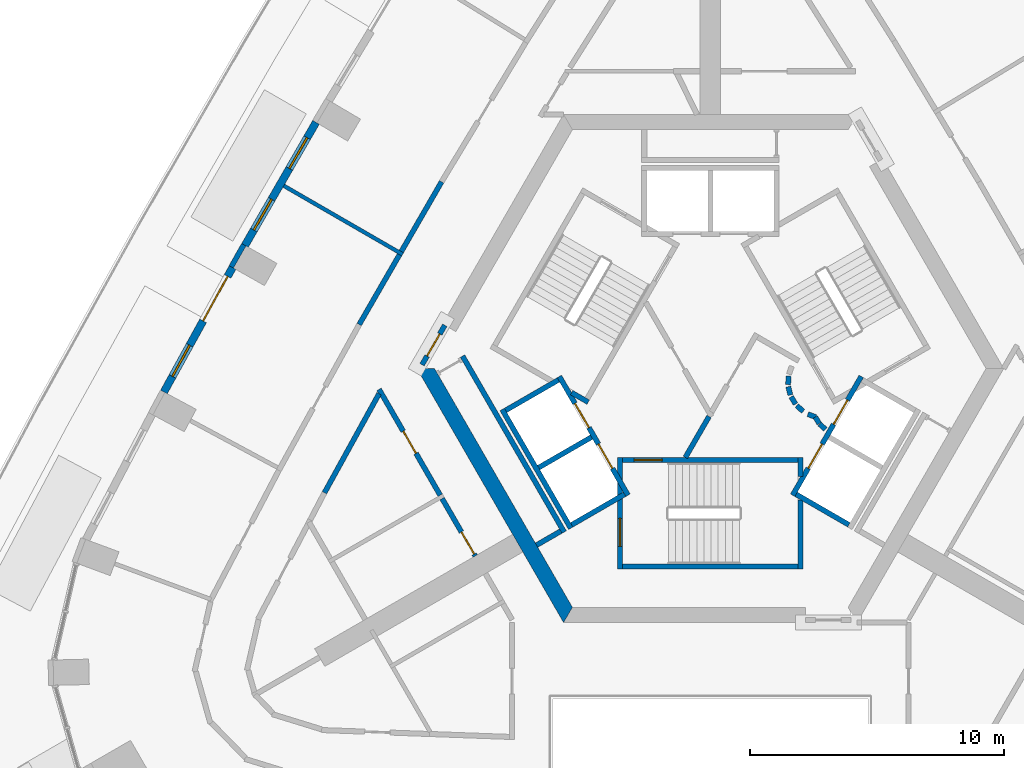
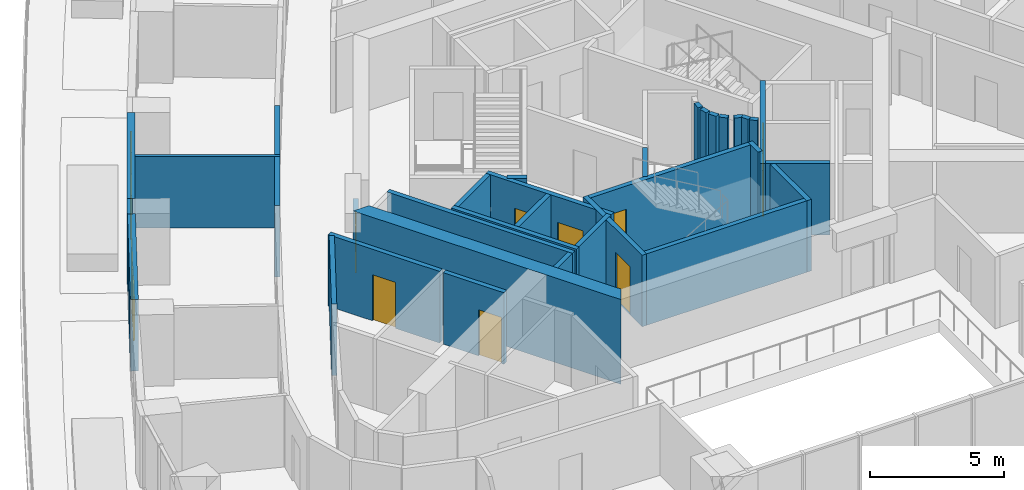
# One storey, part 6 of 14: 34 walls, 10 doors, 3 windows, 13 openings.
"""IFC4 building model written with IfcOpenShell, lengths in metres."""

from ifc_helpers import new_model, si_unit, direction, frame, frame_2d, origin, place, context, subcontext, project, spatial, polyline, rectangle, outline, extrude, material, layer, layer_set, type_object, element, fill, save


model = new_model("IFC4")

# Units and contexts
model_context = context("Model", 3, precision=1e-05, world=origin(), true_north=direction((0.0, 1.0)))
body_context = subcontext(model_context, "Body", "Model", "MODEL_VIEW")
ifc_project = project(units=[si_unit("LENGTHUNIT", "METRE"), si_unit("AREAUNIT", "SQUARE_METRE"), si_unit("VOLUMEUNIT", "CUBIC_METRE"), si_unit("PLANEANGLEUNIT", "RADIAN"), si_unit("MASSUNIT", "GRAM", prefix="KILO")], contexts=[model_context])

# Site, building, storey
site_placement = place(None, origin())
site = spatial("IfcSite", under=ifc_project, at=site_placement, CompositionType="ELEMENT")
building_placement = place(site_placement, origin())
building = spatial("IfcBuilding", under=site, at=building_placement, Name="Entoto Arch Interchange Tower", CompositionType="ELEMENT")
storey_placement = place(building_placement, frame((0.0, 0.0, 241.39990234375)))
storey = spatial("IfcBuildingStorey", under=building, at=storey_placement, Name="L54", CompositionType="ELEMENT", Elevation=241.39990234375)

# Wall, opening, door
ifc_material_1 = material(Name="Reinforced concrete C40/50", Category="concrete")
ifc_layer_1 = layer(ifc_material_1, 0.199951171875)
ifc_layer_set_1 = layer_set([ifc_layer_1], Name="Reinforced concrete C40/50")
wall_type_1 = type_object("IfcWallType", Name="CORE GAP INFILL WALL", PredefinedType="PARTITIONING", material=ifc_layer_set_1)
wall_1_placement = place(storey_placement, frame((-10.448974609375, 4.202880859375, 0.0), z_axis=(0.0, 0.0, 1.0), x_axis=(-0.499914839587, -0.866074565589, 0.0)))
wall_1 = element("IfcWall", 1, at=wall_1_placement, inside=storey, type_object=wall_type_1, Name="wall:L54:gap3", PredefinedType="PARTITIONING", context=body_context, shape_type="SweptSolid", body=[
    extrude(rectangle(XDim=1.794189453125, YDim=0.199951171875, at=frame_2d((0.89697265625, 0.0))), origin(), (0.0, 0.0, 1.0), 2.400146484375),
])
opening_1_placement = place(wall_1_placement, frame((0.39697265625, 0.0, 0.0)))
opening_1 = element("IfcOpeningElement", 2, at=opening_1_placement, cuts=wall_1, Name="Opening L54-D93", PredefinedType="OPENING", context=body_context, shape_type="SweptSolid", body=[
    extrude(rectangle(XDim=1.0, YDim=2.10009765625, at=frame_2d((0.5, 1.050048828125))), frame((0.0, 0.10986328125, 0.0), z_axis=(0.0, -1.0, 0.0), x_axis=(1.0, 0.0, 0.0)), (0.0, 0.0, 1.0), 0.219970703125),
])
ifc_material_2 = material(Name="Fire-rated Steel S235 door and frame", Category="steel")
door_type_1 = type_object("IfcDoorType", Name="DOOR FD-10 1000x2100", OperationType="SINGLE_SWING_LEFT", PredefinedType="DOOR", material=ifc_material_2)
door_1_placement = place(opening_1_placement, origin())
door_1 = element("IfcDoor", 3, at=door_1_placement, inside=storey, type_object=door_type_1, Name="door:L54:gap3", OperationType="SINGLE_SWING_LEFT", OverallHeight=2.10009765625, OverallWidth=1.0, PredefinedType="DOOR", context=body_context, shape_type="SweptSolid", body=[
    extrude(rectangle(XDim=1.0, YDim=2.10009765625, at=frame_2d((0.5, 1.050048828125))), frame((0.0, 0.02490234375, 0.0), z_axis=(0.0, -1.0, 0.0), x_axis=(1.0, 0.0, 0.0)), (0.0, 0.0, 1.0), 0.050048828125),
])
fill(opening_1, door_1)

# Wall
ifc_material_3 = material(Name="Concrete C40/50", Category="concrete")
ifc_layer_2 = layer(ifc_material_3, 0.60009765625)
ifc_layer_set_2 = layer_set([ifc_layer_2], Name="Concrete C40/50")
wall_type_2 = type_object("IfcWallType", Name="Core wall 600 C40/50", PredefinedType="SHEAR", material=ifc_layer_set_2)
wall_2_placement = place(storey_placement, frame((0.0, 0.0, -0.599853515625)))
element("IfcWall", 4, at=wall_2_placement, inside=storey, type_object=wall_type_2, Name="Core wall SW L54", PredefinedType="SHEAR", context=body_context, shape_type="SweptSolid", body=[
    extrude(outline(polyline([(-11.547119140625, 2.5), (-5.77392578125, -7.5), (-5.427001953125, -6.89990234375), (-10.85400390625, 2.5), (-11.547119140625, 2.5)])), origin(), (0.0, 0.0, 1.0), 3.85986328125),
])

# Wall, openings, doors
ifc_layer_3 = layer(ifc_material_3, 0.199951171875)
ifc_layer_set_3 = layer_set([ifc_layer_3], Name="Concrete C40/50")
wall_type_3 = type_object("IfcWallType", Name="LIFT SHAFT WALL 200", PredefinedType="STANDARD", material=ifc_layer_set_3)
wall_3_placement = place(storey_placement, frame((-5.93994140625, 2.18798828125, 0.0), z_axis=(0.0, 0.0, 1.0), x_axis=(0.500034260056, -0.866005622828, 0.0)))
wall_3 = element("IfcWall", 5, at=wall_3_placement, inside=storey, type_object=wall_type_3, Name="Shaft wall SW1 front", PredefinedType="STANDARD", context=body_context, shape_type="SweptSolid", body=[
    extrude(rectangle(XDim=5.3994140625, YDim=0.199951171875, at=frame_2d((2.69970703125, 0.0))), origin(), (0.0, 0.0, 1.0), 3.260009765625),
])
opening_2_placement = place(wall_3_placement, frame((3.074951171875, 0.0, 0.0)))
opening_2 = element("IfcOpeningElement", 6, at=opening_2_placement, cuts=wall_3, Name="Opening LD-HR4-L54", PredefinedType="OPENING", context=body_context, shape_type="SweptSolid", body=[
    extrude(rectangle(XDim=1.10009765625, YDim=2.10009765625, at=frame_2d((0.550048828125, 1.050048828125))), frame((0.0, 0.10986328125, 0.0), z_axis=(0.0, -1.0, 0.0), x_axis=(1.0, 0.0, 0.0)), (0.0, 0.0, 1.0), 0.219970703125),
])
opening_3_placement = place(wall_3_placement, frame((1.22509765625, 0.0, 0.0)))
opening_3 = element("IfcOpeningElement", 7, at=opening_3_placement, cuts=wall_3, Name="Opening LD-FF2-L54", PredefinedType="OPENING", context=body_context, shape_type="SweptSolid", body=[
    extrude(rectangle(XDim=1.10009765625, YDim=2.10009765625, at=frame_2d((0.550048828125, 1.050048828125))), frame((0.0, 0.10986328125, 0.0), z_axis=(0.0, -1.0, 0.0), x_axis=(1.0, 0.0, 0.0)), (0.0, 0.0, 1.0), 0.219970703125),
])
ifc_material_4 = material(Name="Stainless steel 1.4301 panels", Category="steel")
door_type_2 = type_object("IfcDoorType", Name="LIFT LANDING DOOR LD1 1100x2100", OperationType="SLIDING_TO_LEFT", PredefinedType="DOOR", material=ifc_material_4)
door_2_placement = place(opening_2_placement, origin())
door_2 = element("IfcDoor", 8, at=door_2_placement, inside=storey, type_object=door_type_2, Name="Lift landing door HR4 L54", OperationType="SLIDING_TO_LEFT", OverallHeight=2.10009765625, OverallWidth=1.10009765625, PredefinedType="DOOR", context=body_context, shape_type="SweptSolid", body=[
    extrude(rectangle(XDim=1.10009765625, YDim=2.10009765625, at=frame_2d((0.550048828125, 1.050048828125))), frame((0.0, 0.02490234375, 0.0), z_axis=(0.0, -1.0, 0.0), x_axis=(1.0, 0.0, 0.0)), (0.0, 0.0, 1.0), 0.050048828125),
])
fill(opening_2, door_2)
door_3_placement = place(opening_3_placement, origin())
door_3 = element("IfcDoor", 9, at=door_3_placement, inside=storey, type_object=door_type_2, Name="Lift landing door FF2 L54", OperationType="SLIDING_TO_LEFT", OverallHeight=2.10009765625, OverallWidth=1.10009765625, PredefinedType="DOOR", context=body_context, shape_type="SweptSolid", body=[
    extrude(rectangle(XDim=1.10009765625, YDim=2.10009765625, at=frame_2d((0.550048828125, 1.050048828125))), frame((0.0, 0.02490234375, 0.0), z_axis=(0.0, -1.0, 0.0), x_axis=(1.0, 0.0, 0.0)), (0.0, 0.0, 1.0), 0.050048828125),
])
fill(opening_3, door_3)

# Walls
wall_4_placement = place(storey_placement, frame((-8.19189453125, 0.887939453125, 0.0), z_axis=(0.0, 0.0, 1.0), x_axis=(0.500034260056, -0.866005622828, 0.0)))
element("IfcWall", 10, at=wall_4_placement, inside=storey, type_object=wall_type_3, Name="Shaft wall SW1 back", PredefinedType="STANDARD", context=body_context, shape_type="SweptSolid", body=[
    extrude(rectangle(XDim=5.3994140625, YDim=0.199951171875, at=frame_2d((2.69970703125, 0.0))), origin(), (0.0, 0.0, 1.0), 3.260009765625),
])
for number, where, z_axis, x_axis, name in (
    (11, (-5.97705078125, 2.052001953125, 0.0), (0.0, 0.0, 1.0), (-0.865973769406, -0.500089422704, 0.0), "Shaft wall SW1 cross 1"),
    (12, (-4.677001953125, -0.199951171875, 0.0), (0.0, 0.0, 1.0), (-0.865973769406, -0.500089422704, 0.0), "Shaft wall SW1 cross 2"),
):
    element("IfcWall", number, at=place(storey_placement, frame(where, z_axis=z_axis, x_axis=x_axis)), inside=storey, type_object=wall_type_3, Name=name, PredefinedType="STANDARD", context=body_context, shape_type="SweptSolid", body=[
        extrude(rectangle(XDim=2.3994140625, YDim=0.199951171875, at=frame_2d((1.19970703125, 0.0))), origin(), (0.0, 0.0, 1.0), 3.260009765625),
    ])
wall_5_placement = place(storey_placement, frame((-3.376953125, -2.451904296875, 0.0), z_axis=(0.0, 0.0, 1.0), x_axis=(-0.865955154139, -0.50012165622, 0.0)))
element("IfcWall", 13, at=wall_5_placement, inside=storey, type_object=wall_type_3, Name="Shaft wall SW1 cross 3", PredefinedType="STANDARD", context=body_context, shape_type="SweptSolid", body=[
    extrude(rectangle(XDim=2.39990234375, YDim=0.199951171875, at=frame_2d((1.199951171875, 0.0))), origin(), (0.0, 0.0, 1.0), 3.260009765625),
])

# Wall, openings, doors
wall_6_placement = place(storey_placement, frame((3.239990234375, -2.488037109375, 0.0), z_axis=(0.0, 0.0, 1.0), x_axis=(0.500034260056, 0.866005622828, 0.0)))
wall_6 = element("IfcWall", 14, at=wall_6_placement, inside=storey, type_object=wall_type_3, Name="Shaft wall SE1 front", PredefinedType="STANDARD", context=body_context, shape_type="SweptSolid", body=[
    extrude(rectangle(XDim=5.3994140625, YDim=0.199951171875, at=frame_2d((2.69970703125, 0.0))), origin(), (0.0, 0.0, 1.0), 3.260009765625),
])
opening_4_placement = place(wall_6_placement, frame((3.22509765625, 0.0, 0.0)))
opening_4 = element("IfcOpeningElement", 15, at=opening_4_placement, cuts=wall_6, Name="Opening LD-HR3-L54", PredefinedType="OPENING", context=body_context, shape_type="SweptSolid", body=[
    extrude(rectangle(XDim=1.10009765625, YDim=2.10009765625, at=frame_2d((0.550048828125, 1.050048828125))), frame((0.0, 0.10986328125, 0.0), z_axis=(0.0, -1.0, 0.0), x_axis=(1.0, 0.0, 0.0)), (0.0, 0.0, 1.0), 0.219970703125),
])
opening_5_placement = place(wall_6_placement, frame((1.22509765625, 0.0, 0.0)))
opening_5 = element("IfcOpeningElement", 16, at=opening_5_placement, cuts=wall_6, Name="Opening LD-FF1-L54", PredefinedType="OPENING", context=body_context, shape_type="SweptSolid", body=[
    extrude(rectangle(XDim=1.10009765625, YDim=2.10009765625, at=frame_2d((0.550048828125, 1.050048828125))), frame((0.0, 0.10986328125, 0.0), z_axis=(0.0, -1.0, 0.0), x_axis=(1.0, 0.0, 0.0)), (0.0, 0.0, 1.0), 0.219970703125),
])
door_4_placement = place(opening_4_placement, origin())
door_4 = element("IfcDoor", 17, at=door_4_placement, inside=storey, type_object=door_type_2, Name="Lift landing door HR3 L54", OperationType="SLIDING_TO_LEFT", OverallHeight=2.10009765625, OverallWidth=1.10009765625, PredefinedType="DOOR", context=body_context, shape_type="SweptSolid", body=[
    extrude(rectangle(XDim=1.10009765625, YDim=2.10009765625, at=frame_2d((0.550048828125, 1.050048828125))), frame((0.0, 0.02490234375, 0.0), z_axis=(0.0, -1.0, 0.0), x_axis=(1.0, 0.0, 0.0)), (0.0, 0.0, 1.0), 0.050048828125),
])
fill(opening_4, door_4)
door_5_placement = place(opening_5_placement, origin())
door_5 = element("IfcDoor", 18, at=door_5_placement, inside=storey, type_object=door_type_2, Name="Lift landing door FF1 L54", OperationType="SLIDING_TO_LEFT", OverallHeight=2.10009765625, OverallWidth=1.10009765625, PredefinedType="DOOR", context=body_context, shape_type="SweptSolid", body=[
    extrude(rectangle(XDim=1.10009765625, YDim=2.10009765625, at=frame_2d((0.550048828125, 1.050048828125))), frame((0.0, 0.02490234375, 0.0), z_axis=(0.0, -1.0, 0.0), x_axis=(1.0, 0.0, 0.0)), (0.0, 0.0, 1.0), 0.050048828125),
])
fill(opening_5, door_5)

# Walls
wall_7_placement = place(storey_placement, frame((3.376953125, -2.451904296875, 0.0), z_axis=(0.0, 0.0, 1.0), x_axis=(0.865955154139, -0.50012165622, 0.0)))
element("IfcWall", 19, at=wall_7_placement, inside=storey, type_object=wall_type_3, Name="Shaft wall SE1 cross 1", PredefinedType="STANDARD", context=body_context, shape_type="SweptSolid", body=[
    extrude(rectangle(XDim=2.39990234375, YDim=0.199951171875, at=frame_2d((1.199951171875, 0.0))), origin(), (0.0, 0.0, 1.0), 3.260009765625),
])
ifc_material_5 = material(Name="Gypsum board partition on steel studs", Category="steel")
ifc_layer_4 = layer(ifc_material_5, 0.14990234375)
ifc_layer_set_4 = layer_set([ifc_layer_4], Name="Gypsum board partition on steel studs")
wall_type_4 = type_object("IfcWallType", Name="PARTITION 150", PredefinedType="PARTITIONING", material=ifc_layer_set_4)
wall_8_placement = place(storey_placement, frame((-12.110107421875, 6.991943359375, 0.0), z_axis=(0.0, 0.0, 1.0), x_axis=(-0.865994316829, 0.50005384032, 0.0)))
element("IfcWall", 20, at=wall_8_placement, inside=storey, type_object=wall_type_4, Name="wall:L54:p111", PredefinedType="PARTITIONING", context=body_context, shape_type="SweptSolid", body=[
    extrude(rectangle(XDim=5.3994140625, YDim=0.14990234375, at=frame_2d((2.69970703125, 0.0))), origin(), (0.0, 0.0, 1.0), 3.260009765625),
])

# Wall, opening, door
ifc_layer_5 = layer(ifc_material_5, 0.199951171875)
ifc_layer_set_5 = layer_set([ifc_layer_5], Name="Gypsum board partition on steel studs")
wall_type_5 = type_object("IfcWallType", Name="PARTITION 200", PredefinedType="PARTITIONING", material=ifc_layer_set_5)
wall_9_placement = place(storey_placement, frame((-10.6298828125, -2.488037109375, 0.0), z_axis=(0.0, 0.0, 1.0), x_axis=(-0.500108649621, 0.865962665808, 0.0)))
wall_9 = element("IfcWall", 21, at=wall_9_placement, inside=storey, type_object=wall_type_5, Name="wall:L54:p022", PredefinedType="PARTITIONING", context=body_context, shape_type="SweptSolid", body=[
    extrude(rectangle(XDim=4.8154296875, YDim=0.199951171875, at=frame_2d((2.40771484375, 0.0))), origin(), (0.0, 0.0, 1.0), 3.260009765625),
])
opening_6_placement = place(wall_9_placement, frame((1.907958984375, 0.0, 0.0)))
opening_6 = element("IfcOpeningElement", 22, at=opening_6_placement, cuts=wall_9, Name="Opening L54-D19", PredefinedType="OPENING", context=body_context, shape_type="SweptSolid", body=[
    extrude(rectangle(XDim=1.0, YDim=2.10009765625, at=frame_2d((0.5, 1.050048828125))), frame((0.0, 0.10986328125, 0.0), z_axis=(0.0, -1.0, 0.0), x_axis=(1.0, 0.0, 0.0)), (0.0, 0.0, 1.0), 0.219970703125),
])
ifc_material_6 = material(Name="Timber door leaf in Steel S235 frame", Category="steel")
door_type_3 = type_object("IfcDoorType", Name="DOOR DS-10 1000x2100", OperationType="SINGLE_SWING_LEFT", PredefinedType="DOOR", material=ifc_material_6)
door_6_placement = place(opening_6_placement, origin())
door_6 = element("IfcDoor", 23, at=door_6_placement, inside=storey, type_object=door_type_3, Name="door:L54:19", OperationType="SINGLE_SWING_LEFT", OverallHeight=2.10009765625, OverallWidth=1.0, PredefinedType="DOOR", context=body_context, shape_type="SweptSolid", body=[
    extrude(rectangle(XDim=1.0, YDim=2.10009765625, at=frame_2d((0.5, 1.050048828125))), frame((0.0, 0.02490234375, 0.0), z_axis=(0.0, -1.0, 0.0), x_axis=(1.0, 0.0, 0.0)), (0.0, 0.0, 1.0), 0.050048828125),
])
fill(opening_6, door_6)

# Walls
wall_10_placement = place(storey_placement, frame((-13.035888671875, 1.508056640625, 0.0), z_axis=(0.0, 0.0, 1.0), x_axis=(-0.482884552822, -0.87568402329, 0.0)))
element("IfcWall", 24, at=wall_10_placement, inside=storey, type_object=wall_type_5, Name="wall:L54:p023", PredefinedType="PARTITIONING", context=body_context, shape_type="SweptSolid", body=[
    extrude(rectangle(XDim=4.45263671875, YDim=0.199951171875, at=frame_2d((2.226318359375, 0.0))), origin(), (0.0, 0.0, 1.0), 3.260009765625),
])
wall_11_placement = place(storey_placement, frame((-12.158935546875, 7.10693359375, 0.0), z_axis=(0.0, 0.0, 1.0), x_axis=(0.499953838557, 0.866052053466, 0.0)))
element("IfcWall", 25, at=wall_11_placement, inside=storey, type_object=wall_type_5, Name="wall:L54:p052", PredefinedType="PARTITIONING", context=body_context, shape_type="SweptSolid", body=[
    extrude(rectangle(XDim=3.166259765625, YDim=0.199951171875, at=frame_2d((1.5830078125, 0.0))), origin(), (0.0, 0.0, 1.0), 3.260009765625),
])
wall_12_placement = place(storey_placement, frame((-13.81689453125, 4.23388671875, 0.0), z_axis=(0.0, 0.0, 1.0), x_axis=(0.499820325382, 0.866129114125, 0.0)))
element("IfcWall", 26, at=wall_12_placement, inside=storey, type_object=wall_type_5, Name="wall:L54:p055", PredefinedType="PARTITIONING", context=body_context, shape_type="SweptSolid", body=[
    extrude(rectangle(XDim=3.167236328125, YDim=0.199951171875, at=frame_2d((1.58349609375, 0.0))), origin(), (0.0, 0.0, 1.0), 3.260009765625),
])
wall_13_placement = place(storey_placement, frame((-5.887939453125, -3.902099609375, 0.0), z_axis=(0.0, 0.0, 1.0), x_axis=(-0.86621513555, -0.499671230855, 0.0)))
element("IfcWall", 27, at=wall_13_placement, inside=storey, type_object=wall_type_5, Name="wall:L54:p068", PredefinedType="PARTITIONING", context=body_context, shape_type="SweptSolid", body=[
    extrude(rectangle(XDim=1.100341796875, YDim=0.199951171875, at=frame_2d((0.55029296875, 0.0))), origin(), (0.0, 0.0, 1.0), 3.260009765625),
])
wall_14_placement = place(storey_placement, frame((-9.7509765625, 2.989990234375, 0.0), z_axis=(0.0, 0.0, 1.0), x_axis=(0.500012163284, -0.866018381195, 0.0)))
element("IfcWall", 28, at=wall_14_placement, inside=storey, type_object=wall_type_5, Name="wall:L54:p070", PredefinedType="PARTITIONING", context=body_context, shape_type="SweptSolid", body=[
    extrude(rectangle(XDim=7.999755859375, YDim=0.199951171875, at=frame_2d((4.0, 0.0))), origin(), (0.0, 0.0, 1.0), 3.260009765625),
])
wall_15_placement = place(storey_placement, frame((-0.98193359375, -1.0, 0.0), z_axis=(0.0, 0.0, 1.0), x_axis=(0.50024047865, 0.865886518847, 0.0)))
element("IfcWall", 29, at=wall_15_placement, inside=storey, type_object=wall_type_5, Name="wall:L54:p075", PredefinedType="PARTITIONING", context=body_context, shape_type="SweptSolid", body=[
    extrude(rectangle(XDim=1.86279296875, YDim=0.199951171875, at=frame_2d((0.931396484375, 0.0))), origin(), (0.0, 0.0, 1.0), 3.260009765625),
])
wall_16_placement = place(storey_placement, frame((3.0791015625, 2.198974609375, 0.0), z_axis=(0.0, 0.0, 1.0), x_axis=(-0.047771483479, -0.998858290933, 0.0)))
element("IfcWall", 30, at=wall_16_placement, inside=storey, type_object=wall_type_5, Name="wall:L54:p079", PredefinedType="PARTITIONING", context=body_context, shape_type="SweptSolid", body=[
    extrude(rectangle(XDim=0.33740234375, YDim=0.199951171875, at=frame_2d((0.168701171875, 0.0))), origin(), (0.0, 0.0, 1.0), 3.260009765625),
])
wall_17_placement = place(storey_placement, frame((3.070068359375, 1.785888671875, 0.0), z_axis=(0.0, 0.0, 1.0), x_axis=(0.242705583207, -0.970099994784, 0.0)))
element("IfcWall", 31, at=wall_17_placement, inside=storey, type_object=wall_type_5, Name="wall:L54:p080", PredefinedType="PARTITIONING", context=body_context, shape_type="SweptSolid", body=[
    extrude(rectangle(XDim=0.337890625, YDim=0.199951171875, at=frame_2d((0.1689453125, 0.0))), origin(), (0.0, 0.0, 1.0), 3.260009765625),
])
for number, where, z_axis, x_axis, name in (
    (32, (3.181884765625, 1.387939453125, 0.0), (0.0, 0.0, 1.0), (0.512474702713, -0.85870232274, 0.0), "wall:L54:p081"),
    (33, (3.404052734375, 1.0390625, 0.0), (0.0, 0.0, 1.0), (0.740267097712, -0.672312891476, 0.0), "wall:L54:p082"),
):
    element("IfcWall", number, at=place(storey_placement, frame(where, z_axis=z_axis, x_axis=x_axis)), inside=storey, type_object=wall_type_5, Name=name, PredefinedType="PARTITIONING", context=body_context, shape_type="SweptSolid", body=[
        extrude(rectangle(XDim=0.337646484375, YDim=0.199951171875, at=frame_2d((0.1689453125, 0.0))), origin(), (0.0, 0.0, 1.0), 3.260009765625),
    ])
wall_18_placement = place(storey_placement, frame((3.837890625, 0.701904296875, 0.0), z_axis=(0.0, 0.0, 1.0), x_axis=(0.941035081519, -0.338308993895, 0.0)))
element("IfcWall", 34, at=wall_18_placement, inside=storey, type_object=wall_type_5, Name="wall:L54:p083", PredefinedType="PARTITIONING", context=body_context, shape_type="SweptSolid", body=[
    extrude(rectangle(XDim=0.3369140625, YDim=0.199951171875, at=frame_2d((0.16845703125, 0.0))), origin(), (0.0, 0.0, 1.0), 3.260009765625),
])
wall_19_placement = place(storey_placement, frame((4.132080078125, 0.593017578125, 0.0), z_axis=(0.0, 0.0, 1.0), x_axis=(0.513561617048, -0.858052717201, 0.0)))
element("IfcWall", 35, at=wall_19_placement, inside=storey, type_object=wall_type_5, Name="wall:L54:p084", PredefinedType="PARTITIONING", context=body_context, shape_type="SweptSolid", body=[
    extrude(rectangle(XDim=0.3076171875, YDim=0.199951171875, at=frame_2d((0.15380859375, 0.0))), origin(), (0.0, 0.0, 1.0), 3.260009765625),
])
wall_20_placement = place(storey_placement, frame((4.301025390625, 0.31494140625, 0.0), z_axis=(0.0, 0.0, 1.0), x_axis=(0.741798017506, -0.670623367639, 0.0)))
element("IfcWall", 36, at=wall_20_placement, inside=storey, type_object=wall_type_5, Name="wall:L54:p085", PredefinedType="PARTITIONING", context=body_context, shape_type="SweptSolid", body=[
    extrude(rectangle(XDim=0.30859375, YDim=0.199951171875, at=frame_2d((0.154296875, 0.0))), origin(), (0.0, 0.0, 1.0), 3.260009765625),
])

# Wall, opening, door
wall_21_placement = place(storey_placement, frame((-9.25, -4.8779296875, 0.0), z_axis=(0.0, 0.0, 1.0), x_axis=(-0.500032875382, 0.866006422342, 0.0)))
wall_21 = element("IfcWall", 37, at=wall_21_placement, inside=storey, type_object=wall_type_5, Name="wall:L54:p025", PredefinedType="PARTITIONING", context=body_context, shape_type="SweptSolid", body=[
    extrude(rectangle(XDim=2.609619140625, YDim=0.199951171875, at=frame_2d((1.3046875, 0.0))), origin(), (0.0, 0.0, 1.0), 3.260009765625),
])
opening_7_placement = place(wall_21_placement, frame((0.090087890625, 0.0, 0.0)))
opening_7 = element("IfcOpeningElement", 38, at=opening_7_placement, cuts=wall_21, Name="Opening L54-D20", PredefinedType="OPENING", context=body_context, shape_type="SweptSolid", body=[
    extrude(rectangle(XDim=1.0, YDim=2.10009765625, at=frame_2d((0.5, 1.050048828125))), frame((0.0, 0.10986328125, 0.0), z_axis=(0.0, -1.0, 0.0), x_axis=(1.0, 0.0, 0.0)), (0.0, 0.0, 1.0), 0.219970703125),
])
door_7_placement = place(opening_7_placement, origin())
door_7 = element("IfcDoor", 39, at=door_7_placement, inside=storey, type_object=door_type_3, Name="door:L54:20", OperationType="SINGLE_SWING_LEFT", OverallHeight=2.10009765625, OverallWidth=1.0, PredefinedType="DOOR", context=body_context, shape_type="SweptSolid", body=[
    extrude(rectangle(XDim=1.0, YDim=2.10009765625, at=frame_2d((0.5, 1.050048828125))), frame((0.0, 0.02490234375, 0.0), z_axis=(0.0, -1.0, 0.0), x_axis=(1.0, 0.0, 0.0)), (0.0, 0.0, 1.0), 0.050048828125),
])
fill(opening_7, door_7)

ifc_layer_6 = layer(ifc_material_3, 0.199951171875)
ifc_layer_set_6 = layer_set([ifc_layer_6], Name="Concrete C40/50")
wall_type_6 = type_object("IfcWallType", Name="STAIR ENCLOSURE WALL 200", PredefinedType="STANDARD", material=ifc_layer_set_6)
wall_22_placement = place(storey_placement, frame((-3.550048828125, -1.0, 0.0), z_axis=(0.0, 0.0, 1.0), x_axis=(0.0, -1.0, 0.0)))
wall_22 = element("IfcWall", 40, at=wall_22_placement, inside=storey, type_object=wall_type_6, Name="Stair wall ST-S near", PredefinedType="STANDARD", context=body_context, shape_type="SweptSolid", body=[
    extrude(rectangle(XDim=4.39990234375, YDim=0.199951171875, at=frame_2d((2.199951171875, 0.0))), origin(), (0.0, 0.0, 1.0), 3.260009765625),
])
opening_8_placement = place(wall_22_placement, frame((2.39990234375, 0.0, 0.0)))
opening_8 = element("IfcOpeningElement", 41, at=opening_8_placement, cuts=wall_22, Name="Opening SD-ST-S-L54-E", PredefinedType="OPENING", context=body_context, shape_type="SweptSolid", body=[
    extrude(rectangle(XDim=1.10009765625, YDim=2.199951171875, at=frame_2d((0.550048828125, 1.10009765625))), frame((0.0, 0.10986328125, 0.0), z_axis=(0.0, -1.0, 0.0), x_axis=(1.0, 0.0, 0.0)), (0.0, 0.0, 1.0), 0.219970703125),
])
ifc_material_7 = material(Name="Steel S235", Category="steel")
door_type_4 = type_object("IfcDoorType", Name="STAIR DOOR SD1 1100x2200", OperationType="SINGLE_SWING_LEFT", PredefinedType="DOOR", material=ifc_material_7)
door_8_placement = place(opening_8_placement, origin())
door_8 = element("IfcDoor", 42, at=door_8_placement, inside=storey, type_object=door_type_4, Name="Stair door ST-S L54 end", OperationType="SINGLE_SWING_LEFT", OverallHeight=2.199951171875, OverallWidth=1.10009765625, PredefinedType="DOOR", context=body_context, shape_type="SweptSolid", body=[
    extrude(rectangle(XDim=1.10009765625, YDim=2.199951171875, at=frame_2d((0.550048828125, 1.10009765625))), frame((0.0, 0.02490234375, 0.0), z_axis=(0.0, -1.0, 0.0), x_axis=(1.0, 0.0, 0.0)), (0.0, 0.0, 1.0), 0.050048828125),
])
fill(opening_8, door_8)

# Walls
wall_23_placement = place(storey_placement, frame((3.550048828125, -2.6669921875, 0.0), z_axis=(0.0, 0.0, 1.0), x_axis=(0.0, -1.0, 0.0)))
element("IfcWall", 43, at=wall_23_placement, inside=storey, type_object=wall_type_6, Name="Stair wall ST-S far", PredefinedType="STANDARD", context=body_context, shape_type="SweptSolid", body=[
    extrude(rectangle(XDim=2.73291015625, YDim=0.199951171875, at=frame_2d((1.366455078125, 0.0))), origin(), (0.0, 0.0, 1.0), 3.260009765625),
])
wall_24_placement = place(storey_placement, frame((3.550048828125, -1.0, 0.0), z_axis=(0.0, 0.0, 1.0), x_axis=(0.0, -1.0, 0.0)))
element("IfcWall", 44, at=wall_24_placement, inside=storey, type_object=wall_type_6, Name="Stair wall ST-S far return", PredefinedType="STANDARD", context=body_context, shape_type="SweptSolid", body=[
    extrude(rectangle(XDim=0.7509765625, YDim=0.199951171875, at=frame_2d((0.37548828125, 0.0))), origin(), (0.0, 0.0, 1.0), 3.260009765625),
])

# Wall, opening, door
wall_25_placement = place(storey_placement, frame((-3.449951171875, -1.10009765625, 0.0), z_axis=(0.0, 0.0, 1.0), x_axis=(1.0, 0.0, 0.0)))
wall_25 = element("IfcWall", 45, at=wall_25_placement, inside=storey, type_object=wall_type_6, Name="Stair wall ST-S hall", PredefinedType="STANDARD", context=body_context, shape_type="SweptSolid", body=[
    extrude(rectangle(XDim=6.89990234375, YDim=0.199951171875, at=frame_2d((3.449951171875, 0.0))), origin(), (0.0, 0.0, 1.0), 3.260009765625),
])
opening_9_placement = place(wall_25_placement, frame((0.449951171875, 0.0, 0.0)))
opening_9 = element("IfcOpeningElement", 46, at=opening_9_placement, cuts=wall_25, Name="Opening SD-ST-S-L54", PredefinedType="OPENING", context=body_context, shape_type="SweptSolid", body=[
    extrude(rectangle(XDim=1.10009765625, YDim=2.199951171875, at=frame_2d((0.550048828125, 1.10009765625))), frame((0.0, 0.10986328125, 0.0), z_axis=(0.0, -1.0, 0.0), x_axis=(1.0, 0.0, 0.0)), (0.0, 0.0, 1.0), 0.219970703125),
])
door_9_placement = place(opening_9_placement, origin())
door_9 = element("IfcDoor", 47, at=door_9_placement, inside=storey, type_object=door_type_4, Name="Stair door ST-S L54", OperationType="SINGLE_SWING_LEFT", OverallHeight=2.199951171875, OverallWidth=1.10009765625, PredefinedType="DOOR", context=body_context, shape_type="SweptSolid", body=[
    extrude(rectangle(XDim=1.10009765625, YDim=2.199951171875, at=frame_2d((0.550048828125, 1.10009765625))), frame((0.0, 0.02490234375, 0.0), z_axis=(0.0, -1.0, 0.0), x_axis=(1.0, 0.0, 0.0)), (0.0, 0.0, 1.0), 0.050048828125),
])
fill(opening_9, door_9)

# Walls
wall_26_placement = place(storey_placement, frame((-3.449951171875, -5.300048828125, 0.0), z_axis=(0.0, 0.0, 1.0), x_axis=(1.0, 0.0, 0.0)))
element("IfcWall", 48, at=wall_26_placement, inside=storey, type_object=wall_type_6, Name="Stair wall ST-S back", PredefinedType="STANDARD", context=body_context, shape_type="SweptSolid", body=[
    extrude(rectangle(XDim=6.89990234375, YDim=0.199951171875, at=frame_2d((3.449951171875, 0.0))), origin(), (0.0, 0.0, 1.0), 3.260009765625),
])
wall_27_placement = place(storey_placement, frame((-4.805908203125, 1.176025390625, 0.0), z_axis=(0.0, 0.0, 1.0), x_axis=(-0.866558586415, 0.499075361355, 0.0)))
element("IfcWall", 49, at=wall_27_placement, inside=storey, type_object=wall_type_6, Name="Stair wall ST-NW far return", PredefinedType="STANDARD", context=body_context, shape_type="SweptSolid", body=[
    extrude(rectangle(XDim=0.75146484375, YDim=0.199951171875, at=frame_2d((0.375732421875, 0.0))), origin(), (0.0, 0.0, 1.0), 3.260009765625),
])

# Wall, openings, windows
ifc_material_8 = material(Name="Welded tuff (ignimbrite) cladding, warm buff", Category="masonry")
ifc_layer_7 = layer(ifc_material_8, 0.300048828125)
ifc_layer_set_7 = layer_set([ifc_layer_7], Name="Welded tuff (ignimbrite) cladding, warm buff")
wall_type_7 = type_object("IfcWallType", Name="STONE INFILL WALL 300", PredefinedType="STANDARD", material=ifc_layer_set_7)
wall_28_placement = place(storey_placement, frame((-15.51806640625, 12.18896484375, 0.0), z_axis=(0.0, 0.0, 1.0), x_axis=(-0.49995037644, -0.866054052065, 0.0)))
wall_28 = element("IfcWall", 50, at=wall_28_placement, inside=storey, type_object=wall_type_7, Name="Facade wall NW-03 L54", PredefinedType="STANDARD", context=body_context, shape_type="SweptSolid", body=[
    extrude(rectangle(XDim=5.59423828125, YDim=0.300048828125, at=frame_2d((2.797119140625, 0.0))), origin(), (0.0, 0.0, 1.0), 3.260009765625),
])
opening_10_placement = place(wall_28_placement, frame((0.698974609375, 0.0, 0.89990234375)))
opening_10 = element("IfcOpeningElement", 51, at=opening_10_placement, cuts=wall_28, Name="Opening WH-B", PredefinedType="OPENING", context=body_context, shape_type="SweptSolid", body=[
    extrude(rectangle(XDim=1.39990234375, YDim=2.0, at=frame_2d((0.699951171875, 1.0))), frame((0.0, 0.16015625, 0.0), z_axis=(0.0, -1.0, 0.0), x_axis=(1.0, 0.0, 0.0)), (0.0, 0.0, 1.0), 0.320068359375),
])
opening_11_placement = place(wall_28_placement, frame((3.49609375, 0.0, 0.89990234375)))
opening_11 = element("IfcOpeningElement", 52, at=opening_11_placement, cuts=wall_28, Name="Opening WH-B", PredefinedType="OPENING", context=body_context, shape_type="SweptSolid", body=[
    extrude(rectangle(XDim=1.39990234375, YDim=2.0, at=frame_2d((0.699951171875, 1.0))), frame((0.0, 0.16015625, 0.0), z_axis=(0.0, -1.0, 0.0), x_axis=(1.0, 0.0, 0.0)), (0.0, 0.0, 1.0), 0.320068359375),
])
ifc_material_9 = material(Name="Clear glass, low-e double glazed", Category="glass")
window_type = type_object("IfcWindowType", Name="WINDOW WH-B 1400x2000", PartitioningType="DOUBLE_PANEL_VERTICAL", PredefinedType="WINDOW", material=ifc_material_9)
window_1_placement = place(opening_10_placement, origin())
window_1 = element("IfcWindow", 53, at=window_1_placement, inside=storey, type_object=window_type, Name="Window WH-B NW-03 L54", OverallHeight=2.0, OverallWidth=1.39990234375, PartitioningType="SINGLE_PANEL", PredefinedType="WINDOW", context=body_context, shape_type="SweptSolid", body=[
    extrude(rectangle(XDim=1.39990234375, YDim=2.0, at=frame_2d((0.699951171875, 1.0))), frame((0.0, 0.030029296875, 0.0), z_axis=(0.0, -1.0, 0.0), x_axis=(1.0, 0.0, 0.0)), (0.0, 0.0, 1.0), 0.06005859375),
])
fill(opening_10, window_1)
window_2_placement = place(opening_11_placement, origin())
window_2 = element("IfcWindow", 54, at=window_2_placement, inside=storey, type_object=window_type, Name="Window WH-B NW-03 L54", OverallHeight=2.0, OverallWidth=1.39990234375, PartitioningType="SINGLE_PANEL", PredefinedType="WINDOW", context=body_context, shape_type="SweptSolid", body=[
    extrude(rectangle(XDim=1.39990234375, YDim=2.0, at=frame_2d((0.699951171875, 1.0))), frame((0.0, 0.030029296875, 0.0), z_axis=(0.0, -1.0, 0.0), x_axis=(1.0, 0.0, 0.0)), (0.0, 0.0, 1.0), 0.06005859375),
])
fill(opening_11, window_2)

# Wall, openings, door, window
wall_29_placement = place(storey_placement, frame((-18.804931640625, 6.47509765625, 0.0), z_axis=(0.0, 0.0, 1.0), x_axis=(-0.482734585173, -0.875766704253, 0.0)))
wall_29 = element("IfcWall", 55, at=wall_29_placement, inside=storey, type_object=wall_type_7, Name="Facade wall NW-04 L54", PredefinedType="STANDARD", context=body_context, shape_type="SweptSolid", body=[
    extrude(rectangle(XDim=5.593017578125, YDim=0.300048828125, at=frame_2d((2.79638671875, 0.0))), origin(), (0.0, 0.0, 1.0), 3.260009765625),
])
opening_12_placement = place(wall_29_placement, frame((0.39794921875, 0.0, 0.0)))
opening_12 = element("IfcOpeningElement", 56, at=opening_12_placement, cuts=wall_29, Name="Opening DT-NW-04-L54", PredefinedType="OPENING", context=body_context, shape_type="SweptSolid", body=[
    extrude(rectangle(XDim=2.0, YDim=2.39990234375, at=frame_2d((1.0, 1.199951171875))), frame((0.0, 0.16015625, 0.0), z_axis=(0.0, -1.0, 0.0), x_axis=(1.0, 0.0, 0.0)), (0.0, 0.0, 1.0), 0.320068359375),
])
opening_13_placement = place(wall_29_placement, frame((3.4951171875, 0.0, 0.89990234375)))
opening_13 = element("IfcOpeningElement", 57, at=opening_13_placement, cuts=wall_29, Name="Opening WH-B", PredefinedType="OPENING", context=body_context, shape_type="SweptSolid", body=[
    extrude(rectangle(XDim=1.39990234375, YDim=2.0, at=frame_2d((0.699951171875, 1.0))), frame((0.0, 0.16015625, 0.0), z_axis=(0.0, -1.0, 0.0), x_axis=(1.0, 0.0, 0.0)), (0.0, 0.0, 1.0), 0.320068359375),
])
ifc_material_10 = material(Name="Aluminium and clear glass, anodised", Category="aluminium")
door_type_5 = type_object("IfcDoorType", Name="TERRACE DOOR DT 2000x2400", OperationType="SLIDING_TO_LEFT", PredefinedType="DOOR", material=ifc_material_10)
door_10_placement = place(opening_12_placement, origin())
door_10 = element("IfcDoor", 58, at=door_10_placement, inside=storey, type_object=door_type_5, Name="Terrace door NW-04 L54", OperationType="SLIDING_TO_LEFT", OverallHeight=2.39990234375, OverallWidth=2.0, PredefinedType="DOOR", context=body_context, shape_type="SweptSolid", body=[
    extrude(rectangle(XDim=2.0, YDim=2.39990234375, at=frame_2d((1.0, 1.199951171875))), frame((0.0, 0.02490234375, 0.0), z_axis=(0.0, -1.0, 0.0), x_axis=(1.0, 0.0, 0.0)), (0.0, 0.0, 1.0), 0.050048828125),
])
fill(opening_12, door_10)
window_3_placement = place(opening_13_placement, origin())
window_3 = element("IfcWindow", 59, at=window_3_placement, inside=storey, type_object=window_type, Name="Window WH-B NW-04 L54", OverallHeight=2.0, OverallWidth=1.39990234375, PartitioningType="SINGLE_PANEL", PredefinedType="WINDOW", context=body_context, shape_type="SweptSolid", body=[
    extrude(rectangle(XDim=1.39990234375, YDim=2.0, at=frame_2d((0.699951171875, 1.0))), frame((0.0, 0.030029296875, 0.0), z_axis=(0.0, -1.0, 0.0), x_axis=(1.0, 0.0, 0.0)), (0.0, 0.0, 1.0), 0.06005859375),
])
fill(opening_13, window_3)

# Wall
ifc_layer_8 = layer(ifc_material_8, 0.199951171875)
ifc_layer_set_8 = layer_set([ifc_layer_8], Name="Welded tuff (ignimbrite) cladding, warm buff")
wall_type_8 = type_object("IfcWallType", Name="STONE PIER CLADDING 200", PredefinedType="STANDARD", material=ifc_layer_set_8)
wall_30_placement = place(storey_placement, frame((-18.362060546875, 7.3720703125, 0.0), z_axis=(0.0, 0.0, 1.0), x_axis=(-0.491743606947, -0.87074004446, 0.0)))
element("IfcWall", 60, at=wall_30_placement, inside=storey, type_object=wall_type_8, Name="Stone pier NW04 L54", PredefinedType="STANDARD", context=body_context, shape_type="SweptSolid", body=[
    extrude(rectangle(XDim=1.00048828125, YDim=0.199951171875, at=frame_2d((0.500244140625, 0.0))), origin(), (0.0, 0.0, 1.0), 3.260009765625),
])

save(model, "model.ifc")
